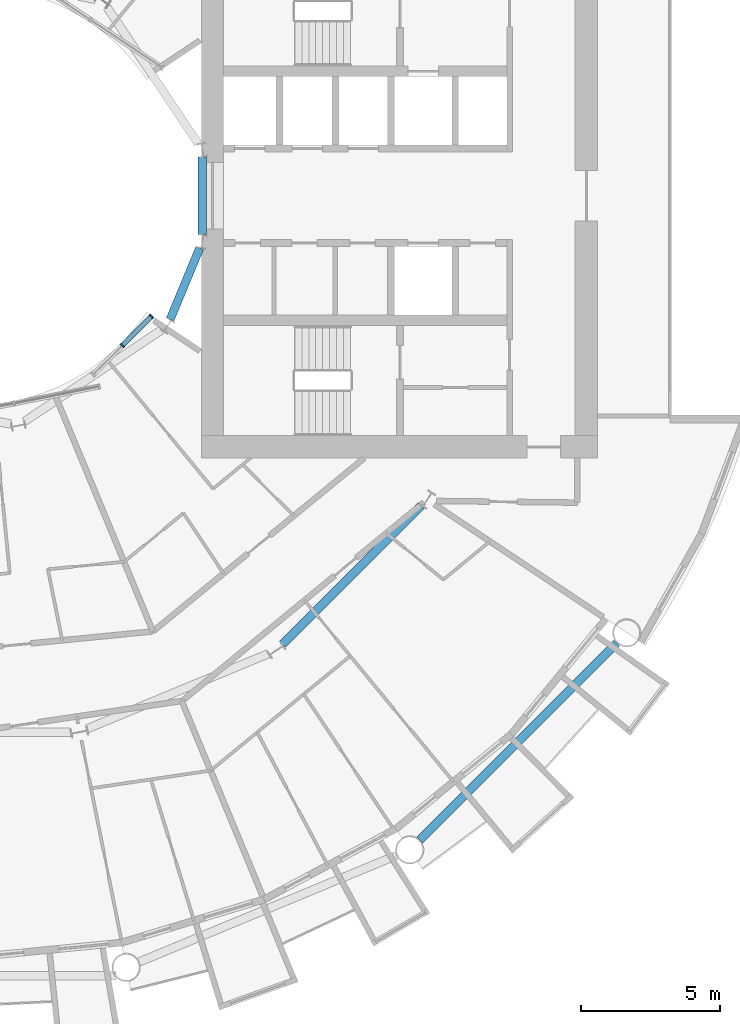
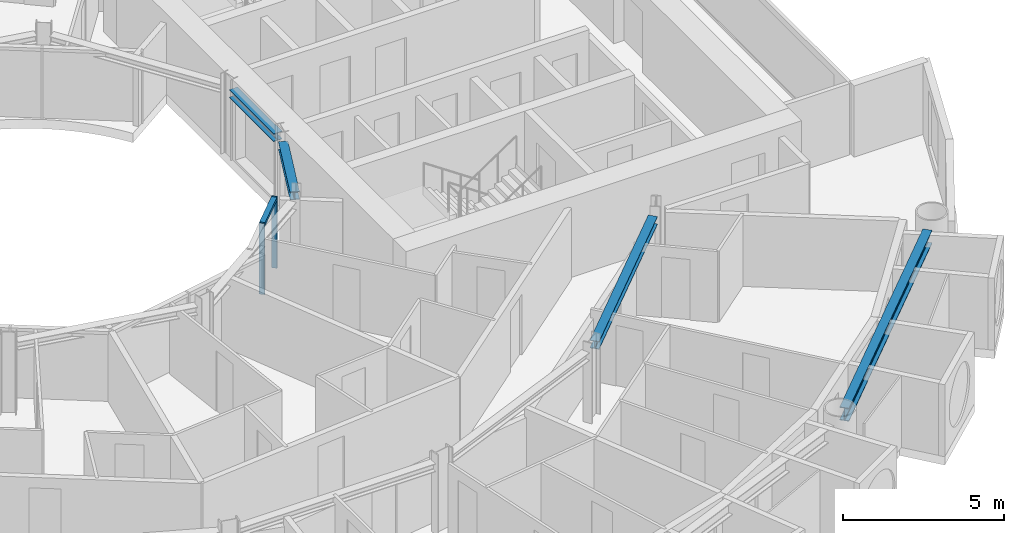
# One storey, part 6 of 26: 4 beams, 3 members, 1 element without a shape of its own.
"""IFC4 building model written with IfcOpenShell, lengths in metres."""

from ifc_helpers import new_model, si_unit, direction, frame, origin, origin_2d, place, context, subcontext, project, spatial, rectangle, i_section, extrude, material, layer, layer_set, material_profile, profile_set, type_object, element, aggregate, save


model = new_model("IFC4")

# Units and contexts
model_context = context("Model", 3, precision=1e-05, world=origin(), true_north=direction((0.0, 1.0)))
body_context = subcontext(model_context, "Body", "Model", "MODEL_VIEW")
ifc_project = project(units=[si_unit("LENGTHUNIT", "METRE"), si_unit("AREAUNIT", "SQUARE_METRE"), si_unit("VOLUMEUNIT", "CUBIC_METRE"), si_unit("PLANEANGLEUNIT", "RADIAN"), si_unit("MASSUNIT", "GRAM", prefix="KILO")], contexts=[model_context])

# Site, building, storey
site_placement = place(None, origin())
site = spatial("IfcSite", under=ifc_project, at=site_placement, CompositionType="ELEMENT")
building_placement = place(site_placement, origin())
building = spatial("IfcBuilding", under=site, at=building_placement, Name="Maasbend Ring Residences", CompositionType="ELEMENT")
storey_placement = place(building_placement, frame((0.0, 0.0, 35.0)))
storey = spatial("IfcBuildingStorey", under=building, at=storey_placement, Name="L09", CompositionType="ELEMENT", Elevation=35.0)

# Curtain wall, members
ifc_material_1 = material(Name="Aluminium and clear glass", Category="aluminium")
ifc_layer = layer(ifc_material_1, 0.179931640625)
ifc_layer_set = layer_set([ifc_layer], Name="CW-W")
curtain_wall_type = type_object("IfcCurtainWallType", Name="CW-W", PredefinedType="NOTDEFINED", material=ifc_layer_set)
curtain_wall_placement = place(storey_placement, origin())
curtain_wall = element("IfcCurtainWall", 1, at=curtain_wall_placement, inside=storey, type_object=curtain_wall_type, Name="Well curtain wall S3", PredefinedType="NOTDEFINED")
ifc_material_2 = material(Name="Aluminium 6063-T6", Category="aluminium")
ifc_material_profile_1 = material_profile(ifc_material_2, rectangle(XDim=0.179931640625, YDim=0.06005859375, at=origin_2d()), Name="AL 180x60")
ifc_profile_set_1 = profile_set([ifc_material_profile_1], Name="Aluminium 6063-T6")
member_type_1 = type_object("IfcMemberType", Name="CWM-W", PredefinedType="MULLION", material=ifc_profile_set_1)
member_1_placement = place(storey_placement, frame((5.366943359375, -5.366943359375, 0.0), z_axis=(0.0, 0.0, 1.0), x_axis=(-0.707106781187, 0.707106781187, 0.0)))
member_1 = element("IfcMember", 2, at=member_1_placement, type_object=member_type_1, Name="Mullion well face", PredefinedType="MULLION", context=body_context, shape_type="SweptSolid", body=[
    extrude(rectangle(XDim=0.179931640625, YDim=0.06005859375, at=origin_2d()), origin(), (0.0, 0.0, 1.0), 2.699951171875),
])
member_2_placement = place(storey_placement, frame((6.413330078125, -4.320556640625, 0.0), z_axis=(0.0, 0.0, 1.0), x_axis=(-0.707106781187, 0.707106781187, 0.0)))
member_2 = element("IfcMember", 3, at=member_2_placement, type_object=member_type_1, Name="Mullion well face", PredefinedType="MULLION", context=body_context, shape_type="SweptSolid", body=[
    extrude(rectangle(XDim=0.179931640625, YDim=0.06005859375, at=origin_2d()), origin(), (0.0, 0.0, 1.0), 2.699951171875),
])
ifc_material_3 = material(Name="Aluminium 6063-T6", Category="aluminium")
ifc_material_profile_2 = material_profile(ifc_material_3, rectangle(XDim=0.179931640625, YDim=0.1201171875, at=origin_2d()), Name="AL 180x120")
ifc_profile_set_2 = profile_set([ifc_material_profile_2], Name="Aluminium 6063-T6")
member_type_2 = type_object("IfcMemberType", Name="CWT-W", PredefinedType="USERDEFINED", material=ifc_profile_set_2)
member_3_placement = place(storey_placement, frame((5.38818359375, -5.345703125, 2.639892578125), z_axis=(0.707106781187, 0.707106781187, 0.0), x_axis=(-0.707106781187, 0.707106781187, 0.0)))
member_3 = element("IfcMember", 4, at=member_3_placement, type_object=member_type_2, Name="Transom well face", ObjectType="TRANSOM", PredefinedType="USERDEFINED", context=body_context, shape_type="SweptSolid", body=[
    extrude(rectangle(XDim=0.179931640625, YDim=0.1201171875, at=origin_2d()), origin(), (0.0, 0.0, 1.0), 1.419677734375),
])
aggregate(curtain_wall, [member_1, member_2, member_3])

# Beams
ifc_material_4 = material(Name="Steel S355J2", Category="steel")
ifc_material_profile_3 = material_profile(ifc_material_4, i_section(OverallWidth=0.300048828125, OverallDepth=0.300048828125, WebThickness=0.010986328125, FlangeThickness=0.01904296875, FilletRadius=0.027099609375, at=origin_2d()), Name="HEB 300")
ifc_profile_set_3 = profile_set([ifc_material_profile_3], Name="Steel S355J2")
beam_type_1 = type_object("IfcBeamType", Name="Corridor ring beam HEB 300", PredefinedType="BEAM", material=ifc_profile_set_3)
beam_1_placement = place(storey_placement, frame((11.11279296875, -16.0732421875, 2.550048828125), z_axis=(0.707106781187, 0.707106781187, 0.0), x_axis=(-0.707106781187, 0.707106781187, 0.0)))
element("IfcBeam", 5, at=beam_1_placement, inside=storey, type_object=beam_type_1, Name="Corridor ring beam", PredefinedType="BEAM", context=body_context, shape_type="SweptSolid", body=[
    extrude(i_section(OverallWidth=0.300048828125, OverallDepth=0.300048828125, WebThickness=0.010986328125, FlangeThickness=0.01904296875, FilletRadius=0.027099609375, at=origin_2d()), origin(), (0.0, 0.0, 1.0), 7.01513671875),
])
ifc_material_5 = material(Name="Steel S355J2", Category="steel")
ifc_material_profile_4 = material_profile(ifc_material_5, i_section(OverallWidth=0.300048828125, OverallDepth=0.5, WebThickness=0.014404296875, FlangeThickness=0.028076171875, FilletRadius=0.027099609375, at=origin_2d()), Name="HEB 500")
ifc_profile_set_4 = profile_set([ifc_material_profile_4], Name="Steel S355J2")
beam_type_2 = type_object("IfcBeamType", Name="Spandrel ring beam HEB 500", PredefinedType="SPANDREL", material=ifc_profile_set_4)
beam_2_placement = place(storey_placement, frame((16.0263671875, -23.088134765625, 2.449951171875), z_axis=(0.707106781187, 0.707106781187, 0.0), x_axis=(-0.707106781187, 0.707106781187, 0.0)))
element("IfcBeam", 6, at=beam_2_placement, inside=storey, type_object=beam_type_2, Name="Spandrel ring beam", PredefinedType="SPANDREL", context=body_context, shape_type="SweptSolid", body=[
    extrude(i_section(OverallWidth=0.300048828125, OverallDepth=0.5, WebThickness=0.014404296875, FlangeThickness=0.028076171875, FilletRadius=0.027099609375, at=origin_2d()), origin(), (0.0, 0.0, 1.0), 9.98681640625),
])
ifc_material_6 = material(Name="Steel S355J2", Category="steel")
ifc_material_profile_5 = material_profile(ifc_material_6, i_section(OverallWidth=0.300048828125, OverallDepth=0.300048828125, WebThickness=0.010986328125, FlangeThickness=0.01904296875, FilletRadius=0.027099609375, at=origin_2d()), Name="HEB 300")
ifc_profile_set_5 = profile_set([ifc_material_profile_5], Name="Steel S355J2")
beam_type_3 = type_object("IfcBeamType", Name="Well edge beam HEB 300", PredefinedType="BEAM", material=ifc_profile_set_5)
beam_3_placement = place(storey_placement, frame((7.081787109375, -4.431396484375, 2.550048828125), z_axis=(0.382723119906, 0.923863092395, 0.0), x_axis=(-0.923863092395, 0.382723119906, 0.0)))
element("IfcBeam", 7, at=beam_3_placement, inside=storey, type_object=beam_type_3, Name="Well edge beam", PredefinedType="BEAM", context=body_context, shape_type="SweptSolid", body=[
    extrude(i_section(OverallWidth=0.300048828125, OverallDepth=0.300048828125, WebThickness=0.010986328125, FlangeThickness=0.01904296875, FilletRadius=0.027099609375, at=origin_2d()), origin(), (0.0, 0.0, 1.0), 2.767822265625),
])
beam_4_placement = place(storey_placement, frame((8.238525390625, -1.3837890625, 2.550048828125), z_axis=(0.0, 1.0, 0.0), x_axis=(-1.0, 0.0, 0.0)))
element("IfcBeam", 8, at=beam_4_placement, inside=storey, type_object=beam_type_3, Name="Well edge beam", PredefinedType="BEAM", context=body_context, shape_type="SweptSolid", body=[
    extrude(i_section(OverallWidth=0.300048828125, OverallDepth=0.300048828125, WebThickness=0.010986328125, FlangeThickness=0.01904296875, FilletRadius=0.027099609375, at=origin_2d()), origin(), (0.0, 0.0, 1.0), 2.767578125),
])

save(model, "model.ifc")
